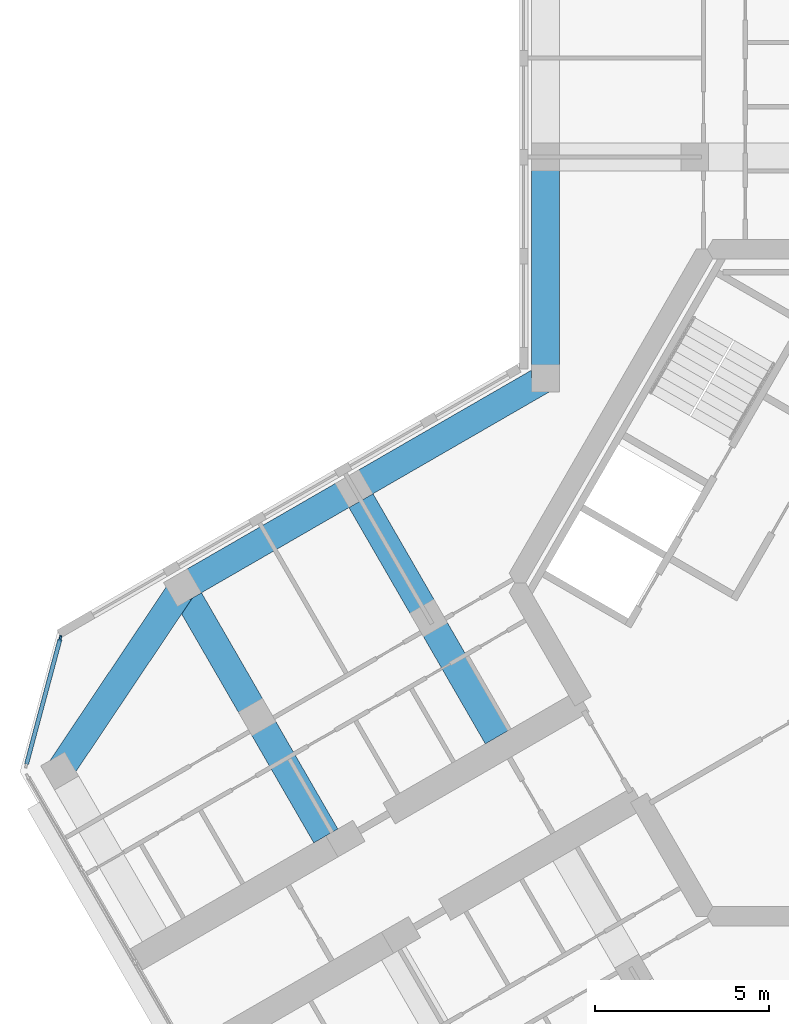
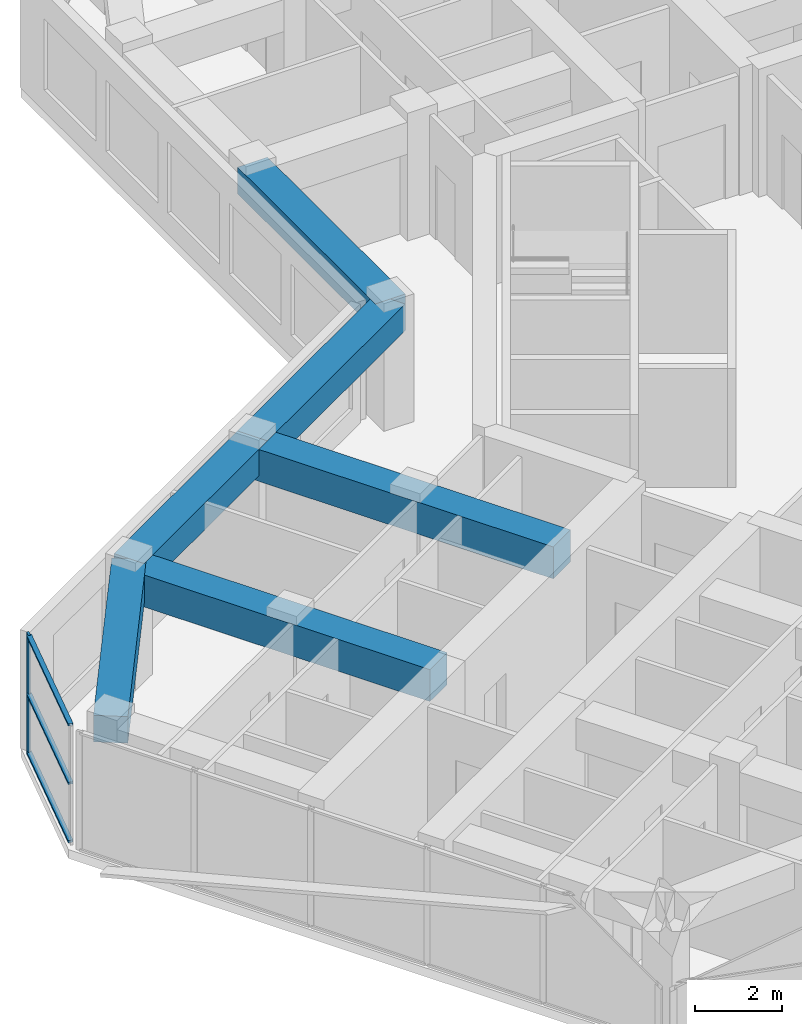
# One storey, part 3 of 14: 6 beams, 4 members, 1 element without a shape of its own.
"""IFC4 building model written with IfcOpenShell, lengths in metres."""

import ifcopenshell
import ifcopenshell.guid

model = None  # the IFC model being written
_history = None  # IfcOwnerHistory: only IFC2X3 demands one
_inside = {}  # id of a spatial element -> (the spatial element, [elements in it])
_under = {}  # id of a project, library or spatial element -> (it, [spatial elements below it])
_declared = {}  # id of a project -> (the project, [libraries it declares])
_typed = {}  # id of a type object -> (the type object, [elements of that type])
_made_of = {}  # id of a material, layer set ... -> (it, [elements and type objects made of it])


def new_model(schema):
    """Start an empty IFC model of exactly this schema.

    Asked for "IFC4X3", IfcOpenShell would pick the latest addendum, in which some entities
    have other attributes; the version numbers below select the first issue.
    IFC2X3 requires an IfcOwnerHistory on every rooted entity: one is made here for all.
    """
    global model, _history
    if schema == "IFC4X3":
        model = ifcopenshell.file(schema_version=(4, 3, 0, 0))
    else:
        model = ifcopenshell.file(schema=schema)
    _inside.clear()
    _under.clear()
    _declared.clear()
    _typed.clear()
    _made_of.clear()
    _history = None
    if model.schema == "IFC2X3":
        org = make("IfcOrganization", Name="unknown")
        user = make(
            "IfcPersonAndOrganization",
            ThePerson=make("IfcPerson", FamilyName="unknown"),
            TheOrganization=org,
        )
        app = make(
            "IfcApplication",
            ApplicationDeveloper=org,
            Version="unknown",
            ApplicationFullName="unknown",
            ApplicationIdentifier="unknown",
        )
        _history = make(
            "IfcOwnerHistory",
            OwningUser=user,
            OwningApplication=app,
            ChangeAction="ADDED",
            CreationDate=0,
        )
    return model


def make(cls, **values):
    """One entity of the class cls with the attributes given. An attribute that is None is left unset."""
    return model.create_entity(
        cls, **{name: value for name, value in values.items() if value is not None}
    )


def rooted(cls, **values):
    """An entity with a GlobalId (a new one), such as an element, a storey or a relation."""
    return make(cls, GlobalId=ifcopenshell.guid.new(), OwnerHistory=_history, **values)


def si_unit(unit_type, name, prefix=None):
    """IfcSIUnit, for example si_unit("LENGTHUNIT", "METRE", prefix="MILLI")."""
    return make("IfcSIUnit", UnitType=unit_type, Prefix=prefix, Name=name)


def assignment(units):
    """IfcUnitAssignment: the units of a project."""
    return None if units is None else make("IfcUnitAssignment", Units=units)


def point(xyz):
    """IfcCartesianPoint."""
    return None if xyz is None else make("IfcCartesianPoint", Coordinates=xyz)


def direction(xyz):
    """IfcDirection."""
    return None if xyz is None else make("IfcDirection", DirectionRatios=xyz)


def frame(location, z_axis=None, x_axis=None):
    """IfcAxis2Placement3D, a coordinate frame: its origin and axes. An axis left out is left unset."""
    return make(
        "IfcAxis2Placement3D",
        Location=point(location),
        Axis=direction(z_axis),
        RefDirection=direction(x_axis),
    )


def frame_2d(location, x_axis=None):
    """IfcAxis2Placement2D, a coordinate frame in the plane: its origin and x axis."""
    return make(
        "IfcAxis2Placement2D", Location=point(location), RefDirection=direction(x_axis)
    )


def origin():
    """The frame at (0, 0, 0) with its axes left unset."""
    return frame((0.0, 0.0, 0.0))


def origin_2d():
    """The frame at (0, 0) in the plane with its x axis left unset."""
    return frame_2d((0.0, 0.0))


def place(relative_to, where):
    """IfcLocalPlacement: puts the frame where relative to a parent placement (None: the world)."""
    return make(
        "IfcLocalPlacement", PlacementRelTo=relative_to, RelativePlacement=where
    )


def context(
    kind, dimensions, precision=None, world=None, true_north=None, identifier=None
):
    """IfcGeometricRepresentationContext, for example the 3D "Model" context."""
    return make(
        "IfcGeometricRepresentationContext",
        ContextIdentifier=identifier,
        ContextType=kind,
        CoordinateSpaceDimension=dimensions,
        Precision=precision,
        WorldCoordinateSystem=world,
        TrueNorth=true_north,
    )


def subcontext(parent, identifier, kind, view, scale=None):
    """IfcGeometricRepresentationSubContext, for example "Body" below "Model"."""
    return make(
        "IfcGeometricRepresentationSubContext",
        ContextIdentifier=identifier,
        ContextType=kind,
        ParentContext=parent,
        TargetScale=scale,
        TargetView=view,
    )


def project(units=None, contexts=None):
    """IfcProject with its units and contexts."""
    return rooted(
        "IfcProject",
        Name="project",
        RepresentationContexts=contexts,
        UnitsInContext=assignment(units),
    )


def spatial(cls, under=None, at=None, **own):
    """A site, building, storey or space (cls), placed at a placement, below another one or the project."""
    s = rooted(cls, ObjectPlacement=at, **own)
    if under is not None:
        _under.setdefault(under.id(), (under, []))[1].append(s)
    return s


def profile(cls, at=None, kind="AREA", **sizes):
    """A parametric profile (cls). Its sizes go by their IFC names, for example OverallWidth=200.0."""
    return make(cls, ProfileType=kind, Position=at, **sizes)


def rectangle(**sizes):
    """IfcRectangleProfileDef."""
    return profile("IfcRectangleProfileDef", **sizes)


def extrude(swept, where, along, depth):
    """IfcExtrudedAreaSolid: the profile swept, set in the frame where, extruded along a direction by depth."""
    return make(
        "IfcExtrudedAreaSolid",
        SweptArea=swept,
        Position=where,
        ExtrudedDirection=direction(along),
        Depth=depth,
    )


def shape(context_of_items, identifier, shape_type, items):
    """IfcShapeRepresentation: the items that make up one representation, for example the "Body"."""
    return make(
        "IfcShapeRepresentation",
        ContextOfItems=context_of_items,
        RepresentationIdentifier=identifier,
        RepresentationType=shape_type,
        Items=items,
    )


def material(Name=None, Category=None):
    """IfcMaterial."""
    return make("IfcMaterial", Name=Name, Category=Category)


def material_profile(
    of_material, cross_section, Name=None, Category=None, Priority=None
):
    """IfcMaterialProfile: a cross section and its material."""
    return make(
        "IfcMaterialProfile",
        Name=Name,
        Material=of_material,
        Profile=cross_section,
        Priority=Priority,
        Category=Category,
    )


def profile_set(profiles, Name=None, composite=None):
    """IfcMaterialProfileSet."""
    return make(
        "IfcMaterialProfileSet",
        Name=Name,
        MaterialProfiles=profiles,
        CompositeProfile=composite,
    )


def made_of(thing, what):
    """Note that an element or type object is made of a material, layer set ...; save() writes the relation."""
    if what is not None:
        _made_of.setdefault(what.id(), (what, []))[1].append(thing)
    return thing


def type_object(cls, material=None, **own):
    """A type object (cls), such as IfcWallType, which elements share."""
    return made_of(rooted(cls, **own), material)


def element(
    cls,
    number,
    at=None,
    inside=None,
    cuts=None,
    type_object=None,
    material=None,
    context=None,
    identifier="Body",
    shape_type=None,
    held_by="IfcProductDefinitionShape",
    body=None,
    shapes=None,
    **own,
):
    """One element of the class cls, such as IfcWall. Its Tag is "e" and its number.

    at: its placement. inside: the storey or other place that contains it. cuts: it is an
    opening in that element (IfcRelVoidsElement). A single representation is given by context,
    identifier, shape_type and body (its items); several are given by shapes. held_by: the class
    of the entity that holds the representations. save() writes the other relations.
    """
    e = rooted(cls, Tag="e%d" % number, ObjectPlacement=at, **own)
    if body is not None:
        shapes = [shape(context, identifier, shape_type, body)]
    if shapes is not None:
        e.Representation = make(held_by, Representations=shapes)
    if inside is not None:
        _inside.setdefault(inside.id(), (inside, []))[1].append(e)
    if cuts is not None:
        rooted(
            "IfcRelVoidsElement", RelatingBuildingElement=cuts, RelatedOpeningElement=e
        )
    if type_object is not None:
        _typed.setdefault(type_object.id(), (type_object, []))[1].append(e)
    return made_of(e, material)


def aggregate(whole, parts):
    """IfcRelAggregates: a whole, such as a stair, and the parts it consists of."""
    return rooted("IfcRelAggregates", RelatingObject=whole, RelatedObjects=parts)


def save(model, path):
    """Write the relations noted so far, then the file.

    IfcRelAggregates (storeys below a building ...), IfcRelContainedInSpatialStructure (elements
    in a storey), IfcRelDefinesByType, IfcRelAssociatesMaterial and IfcRelDeclares: one each for
    every whole, place, type object, material and project.
    """
    for whole, parts in _under.values():
        aggregate(whole, parts)
    for where, things in _inside.values():
        rooted(
            "IfcRelContainedInSpatialStructure",
            RelatedElements=things,
            RelatingStructure=where,
        )
    for kind, things in _typed.values():
        rooted("IfcRelDefinesByType", RelatedObjects=things, RelatingType=kind)
    for what, things in _made_of.values():
        rooted("IfcRelAssociatesMaterial", RelatedObjects=things, RelatingMaterial=what)
    for by, libraries in _declared.values():
        rooted("IfcRelDeclares", RelatingContext=by, RelatedDefinitions=libraries)
    model.write(path)


model = new_model("IFC4")

# Units and contexts
model_context = context("Model", 3, precision=1e-05, world=origin(), true_north=direction((0.0, 1.0)))
body_context = subcontext(model_context, "Body", "Model", "MODEL_VIEW")
ifc_project = project(units=[si_unit("LENGTHUNIT", "METRE"), si_unit("AREAUNIT", "SQUARE_METRE"), si_unit("VOLUMEUNIT", "CUBIC_METRE"), si_unit("PLANEANGLEUNIT", "RADIAN"), si_unit("MASSUNIT", "GRAM", prefix="KILO")], contexts=[model_context])

# Site, building, storey
site_placement = place(None, origin())
site = spatial("IfcSite", under=ifc_project, at=site_placement, CompositionType="ELEMENT")
building_placement = place(site_placement, origin())
building = spatial("IfcBuilding", under=site, at=building_placement, Name="Kosmar Iwan School Tower", CompositionType="ELEMENT")
storey_placement = place(building_placement, frame((0.0, 0.0, 271.0)))
storey = spatial("IfcBuildingStorey", under=building, at=storey_placement, Name="L68", CompositionType="ELEMENT", Elevation=271.0)

# Curtain wall, member
ifc_material_1 = material(Name="Dark glass in black aluminium frame", Category="aluminium")
curtain_wall_type = type_object("IfcCurtainWallType", Name="Chamfer curtain wall dark glass", PredefinedType="USERDEFINED", material=ifc_material_1)
curtain_wall_placement = place(storey_placement, origin())
curtain_wall = element("IfcCurtainWall", 1, at=curtain_wall_placement, inside=storey, type_object=curtain_wall_type, Name="Curtain wall L68-F12", ObjectType="FACETED CURTAIN WALL", PredefinedType="USERDEFINED")
ifc_material_2 = material(Name="Black anodised aluminium", Category="aluminium")
ifc_material_profile_1 = material_profile(ifc_material_2, rectangle(XDim=0.06005859375, YDim=0.159912109375, at=origin_2d()), Name="MULLION 60x160")
ifc_profile_set_1 = profile_set([ifc_material_profile_1], Name="Black anodised aluminium")
member_type_1 = type_object("IfcMemberType", Name="Mullion 60x160", PredefinedType="MULLION", material=ifc_profile_set_1)
member_1_placement = place(storey_placement, frame((-24.163818359375, -1.59814453125, 0.0), z_axis=(0.0, 0.0, 1.0), x_axis=(0.965925875495, -0.258818861462, 0.0)))
member_1 = element("IfcMember", 2, at=member_1_placement, type_object=member_type_1, Name="CW2 mullion 1", PredefinedType="MULLION", context=body_context, shape_type="SweptSolid", body=[
    extrude(rectangle(XDim=0.06005859375, YDim=0.159912109375, at=origin_2d()), origin(), (0.0, 0.0, 1.0), 3.35009765625),
])

# Beams
ifc_material_3 = material(Name="Concrete C50/60", Category="concrete")
ifc_material_profile_2 = material_profile(ifc_material_3, rectangle(XDim=0.800048828125, YDim=0.75, at=origin_2d()), Name="RC 800x750")
ifc_profile_set_2 = profile_set([ifc_material_profile_2], Name="Concrete C50/60")
beam_type_1 = type_object("IfcBeamType", Name="RC edge beam 800x750", PredefinedType="BEAM", material=ifc_profile_set_2)
beam_1_placement = place(storey_placement, frame((-10.199951171875, 5.888916015625, 2.97509765625), z_axis=(0.0, 1.0, 0.0), x_axis=(-1.0, 0.0, 0.0)))
element("IfcBeam", 3, at=beam_1_placement, inside=storey, type_object=beam_type_1, Name="Edge beam AL1", PredefinedType="BEAM", context=body_context, shape_type="SweptSolid", body=[
    extrude(rectangle(XDim=0.800048828125, YDim=0.75, at=origin_2d()), origin(), (0.0, 0.0, 1.0), 6.361083984375),
])
beam_2_placement = place(storey_placement, frame((-10.199951171875, 5.888916015625, 2.97509765625), z_axis=(-0.866030912664, -0.49999045822, 0.0), x_axis=(0.49999045822, -0.866030912664, 0.0)))
element("IfcBeam", 4, at=beam_2_placement, inside=storey, type_object=beam_type_1, Name="Edge beam BR1", PredefinedType="BEAM", context=body_context, shape_type="SweptSolid", body=[
    extrude(rectangle(XDim=0.800048828125, YDim=0.75, at=origin_2d()), origin(), (0.0, 0.0, 1.0), 6.36083984375),
])
beam_3_placement = place(storey_placement, frame((-15.708740234375, 2.70849609375, 2.97509765625), z_axis=(-0.866025820012, -0.499999279071, 0.0), x_axis=(0.499999279071, -0.866025820012, 0.0)))
element("IfcBeam", 5, at=beam_3_placement, inside=storey, type_object=beam_type_1, Name="Edge beam BR2", PredefinedType="BEAM", context=body_context, shape_type="SweptSolid", body=[
    extrude(rectangle(XDim=0.800048828125, YDim=0.75, at=origin_2d()), origin(), (0.0, 0.0, 1.0), 5.7001953125),
])
ifc_material_4 = material(Name="Concrete C50/60", Category="concrete")
ifc_material_profile_3 = material_profile(ifc_material_4, rectangle(XDim=0.800048828125, YDim=0.75, at=origin_2d()), Name="RC 800x750")
ifc_profile_set_3 = profile_set([ifc_material_profile_3], Name="Concrete C50/60")
beam_type_2 = type_object("IfcBeamType", Name="RC tip beam 800x750", PredefinedType="BEAM", material=ifc_profile_set_3)
beam_4_placement = place(storey_placement, frame((-20.645263671875, -0.1416015625, 2.97509765625), z_axis=(-0.556827604145, -0.83062808721, 0.0), x_axis=(0.83062808721, -0.556827604145, 0.0)))
element("IfcBeam", 6, at=beam_4_placement, inside=storey, type_object=beam_type_2, Name="Tip beam BR", PredefinedType="BEAM", context=body_context, shape_type="SweptSolid", body=[
    extrude(rectangle(XDim=0.800048828125, YDim=0.75, at=origin_2d()), origin(), (0.0, 0.0, 1.0), 6.3505859375),
])
ifc_material_5 = material(Name="Concrete C50/60", Category="concrete")
ifc_material_profile_4 = material_profile(ifc_material_5, rectangle(XDim=0.800048828125, YDim=0.89990234375, at=origin_2d()), Name="RC 800x900")
ifc_profile_set_4 = profile_set([ifc_material_profile_4], Name="Concrete C50/60")
beam_type_3 = type_object("IfcBeamType", Name="RC transverse beam 800x900", PredefinedType="BEAM", material=ifc_profile_set_4)
beam_5_placement = place(storey_placement, frame((-15.708740234375, 2.70849609375, 2.89990234375), z_axis=(0.499996545922, -0.866027397988, 0.0), x_axis=(0.866027397988, 0.499996545922, 0.0)))
element("IfcBeam", 7, at=beam_5_placement, inside=storey, type_object=beam_type_3, Name="Transverse beam BR1", PredefinedType="BEAM", context=body_context, shape_type="SweptSolid", body=[
    extrude(rectangle(XDim=0.800048828125, YDim=0.89990234375, at=origin_2d()), origin(), (0.0, 0.0, 1.0), 8.25),
])
beam_6_placement = place(storey_placement, frame((-20.645263671875, -0.1416015625, 2.89990234375), z_axis=(0.500009360108, -0.866019999656, 0.0), x_axis=(0.866019999656, 0.500009360108, 0.0)))
element("IfcBeam", 8, at=beam_6_placement, inside=storey, type_object=beam_type_3, Name="Transverse beam BR2", PredefinedType="BEAM", context=body_context, shape_type="SweptSolid", body=[
    extrude(rectangle(XDim=0.800048828125, YDim=0.89990234375, at=origin_2d()), origin(), (0.0, 0.0, 1.0), 8.249755859375),
])

# Member
ifc_material_6 = material(Name="Black anodised aluminium", Category="aluminium")
ifc_material_profile_5 = material_profile(ifc_material_6, rectangle(XDim=0.1201171875, YDim=0.06005859375, at=origin_2d()), Name="TRANSOM 60x120")
ifc_profile_set_5 = profile_set([ifc_material_profile_5], Name="Black anodised aluminium")
member_type_2 = type_object("IfcMemberType", Name="Transom 60x120", PredefinedType="USERDEFINED", material=ifc_profile_set_5)
member_2_placement = place(storey_placement, frame((-24.17138671875, -1.627197265625, 0.030029296875), z_axis=(-0.258843273983, -0.965919333854, 0.0), x_axis=(0.965919333854, -0.258843273983, 0.0)))
member_2 = element("IfcMember", 9, at=member_2_placement, type_object=member_type_2, Name="CW2 transom 1.1", ObjectType="TRANSOM", PredefinedType="USERDEFINED", context=body_context, shape_type="SweptSolid", body=[
    extrude(rectangle(XDim=0.1201171875, YDim=0.06005859375, at=origin_2d()), origin(), (0.0, 0.0, 1.0), 3.718994140625),
])

member_3_placement = place(storey_placement, frame((-24.17138671875, -1.627197265625, 1.675048828125), z_axis=(-0.258843273983, -0.965919333854, 0.0), x_axis=(0.965919333854, -0.258843273983, 0.0)))
member_3 = element("IfcMember", 10, at=member_3_placement, type_object=member_type_2, Name="CW2 transom 1.2", ObjectType="TRANSOM", PredefinedType="USERDEFINED", context=body_context, shape_type="SweptSolid", body=[
    extrude(rectangle(XDim=0.1201171875, YDim=0.06005859375, at=origin_2d()), origin(), (0.0, 0.0, 1.0), 3.718994140625),
])

member_4_placement = place(storey_placement, frame((-24.17138671875, -1.627197265625, 3.320068359375), z_axis=(-0.258843273983, -0.965919333854, 0.0), x_axis=(0.965919333854, -0.258843273983, 0.0)))
member_4 = element("IfcMember", 11, at=member_4_placement, type_object=member_type_2, Name="CW2 transom 1.3", ObjectType="TRANSOM", PredefinedType="USERDEFINED", context=body_context, shape_type="SweptSolid", body=[
    extrude(rectangle(XDim=0.1201171875, YDim=0.06005859375, at=origin_2d()), origin(), (0.0, 0.0, 1.0), 3.718994140625),
])

aggregate(curtain_wall, [member_1, member_2, member_3, member_4])

save(model, "model.ifc")
